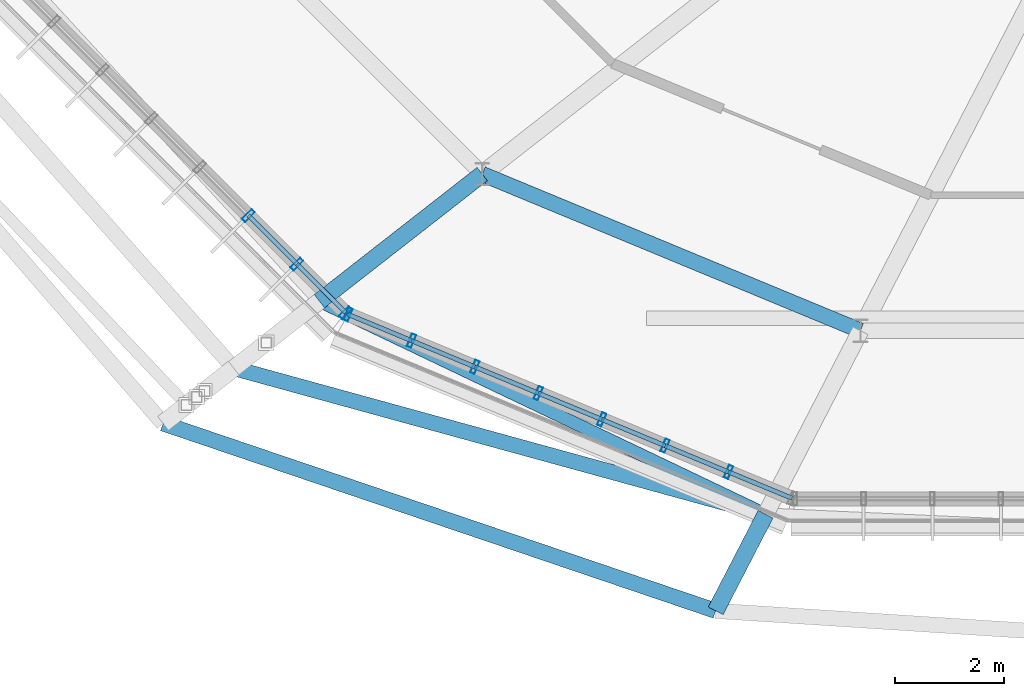
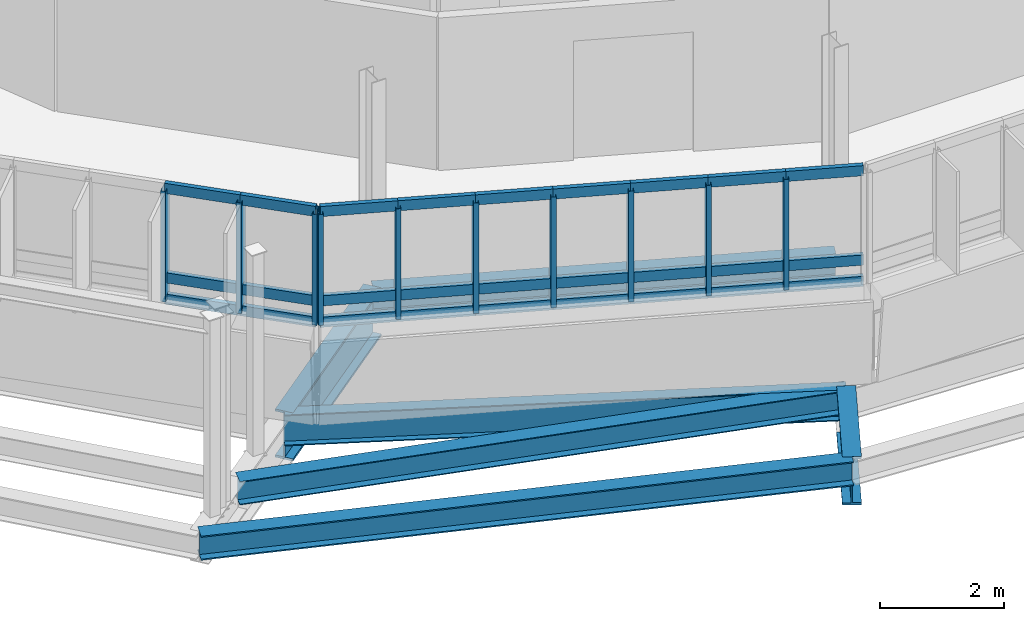
# One storey, part 9 of 61: 37 members, 6 beams, 2 elements without a shape of their own.
"""IFC4 building model written with IfcOpenShell, lengths in metres."""

import ifcopenshell
import ifcopenshell.guid

model = None  # the IFC model being written
_history = None  # IfcOwnerHistory: only IFC2X3 demands one
_inside = {}  # id of a spatial element -> (the spatial element, [elements in it])
_under = {}  # id of a project, library or spatial element -> (it, [spatial elements below it])
_declared = {}  # id of a project -> (the project, [libraries it declares])
_typed = {}  # id of a type object -> (the type object, [elements of that type])
_made_of = {}  # id of a material, layer set ... -> (it, [elements and type objects made of it])


def new_model(schema):
    """Start an empty IFC model of exactly this schema.

    Asked for "IFC4X3", IfcOpenShell would pick the latest addendum, in which some entities
    have other attributes; the version numbers below select the first issue.
    IFC2X3 requires an IfcOwnerHistory on every rooted entity: one is made here for all.
    """
    global model, _history
    if schema == "IFC4X3":
        model = ifcopenshell.file(schema_version=(4, 3, 0, 0))
    else:
        model = ifcopenshell.file(schema=schema)
    _inside.clear()
    _under.clear()
    _declared.clear()
    _typed.clear()
    _made_of.clear()
    _history = None
    if model.schema == "IFC2X3":
        org = make("IfcOrganization", Name="unknown")
        user = make(
            "IfcPersonAndOrganization",
            ThePerson=make("IfcPerson", FamilyName="unknown"),
            TheOrganization=org,
        )
        app = make(
            "IfcApplication",
            ApplicationDeveloper=org,
            Version="unknown",
            ApplicationFullName="unknown",
            ApplicationIdentifier="unknown",
        )
        _history = make(
            "IfcOwnerHistory",
            OwningUser=user,
            OwningApplication=app,
            ChangeAction="ADDED",
            CreationDate=0,
        )
    return model


def make(cls, **values):
    """One entity of the class cls with the attributes given. An attribute that is None is left unset."""
    return model.create_entity(
        cls, **{name: value for name, value in values.items() if value is not None}
    )


def rooted(cls, **values):
    """An entity with a GlobalId (a new one), such as an element, a storey or a relation."""
    return make(cls, GlobalId=ifcopenshell.guid.new(), OwnerHistory=_history, **values)


def si_unit(unit_type, name, prefix=None):
    """IfcSIUnit, for example si_unit("LENGTHUNIT", "METRE", prefix="MILLI")."""
    return make("IfcSIUnit", UnitType=unit_type, Prefix=prefix, Name=name)


def derived_unit(unit_type, elements):
    """IfcDerivedUnit: a product of units, each with its exponent."""
    return make(
        "IfcDerivedUnit",
        Elements=[
            make("IfcDerivedUnitElement", Unit=unit, Exponent=power)
            for unit, power in elements
        ],
        UnitType=unit_type,
    )


def assignment(units):
    """IfcUnitAssignment: the units of a project."""
    return None if units is None else make("IfcUnitAssignment", Units=units)


def point(xyz):
    """IfcCartesianPoint."""
    return None if xyz is None else make("IfcCartesianPoint", Coordinates=xyz)


def direction(xyz):
    """IfcDirection."""
    return None if xyz is None else make("IfcDirection", DirectionRatios=xyz)


def frame(location, z_axis=None, x_axis=None):
    """IfcAxis2Placement3D, a coordinate frame: its origin and axes. An axis left out is left unset."""
    return make(
        "IfcAxis2Placement3D",
        Location=point(location),
        Axis=direction(z_axis),
        RefDirection=direction(x_axis),
    )


def frame_2d(location, x_axis=None):
    """IfcAxis2Placement2D, a coordinate frame in the plane: its origin and x axis."""
    return make(
        "IfcAxis2Placement2D", Location=point(location), RefDirection=direction(x_axis)
    )


def origin():
    """The frame at (0, 0, 0) with its axes left unset."""
    return frame((0.0, 0.0, 0.0))


def origin_2d():
    """The frame at (0, 0) in the plane with its x axis left unset."""
    return frame_2d((0.0, 0.0))


def place(relative_to, where):
    """IfcLocalPlacement: puts the frame where relative to a parent placement (None: the world)."""
    return make(
        "IfcLocalPlacement", PlacementRelTo=relative_to, RelativePlacement=where
    )


def context(
    kind, dimensions, precision=None, world=None, true_north=None, identifier=None
):
    """IfcGeometricRepresentationContext, for example the 3D "Model" context."""
    return make(
        "IfcGeometricRepresentationContext",
        ContextIdentifier=identifier,
        ContextType=kind,
        CoordinateSpaceDimension=dimensions,
        Precision=precision,
        WorldCoordinateSystem=world,
        TrueNorth=true_north,
    )


def subcontext(parent, identifier, kind, view, scale=None):
    """IfcGeometricRepresentationSubContext, for example "Body" below "Model"."""
    return make(
        "IfcGeometricRepresentationSubContext",
        ContextIdentifier=identifier,
        ContextType=kind,
        ParentContext=parent,
        TargetScale=scale,
        TargetView=view,
    )


def project(units=None, contexts=None):
    """IfcProject with its units and contexts."""
    return rooted(
        "IfcProject",
        Name="project",
        RepresentationContexts=contexts,
        UnitsInContext=assignment(units),
    )


def spatial(cls, under=None, at=None, **own):
    """A site, building, storey or space (cls), placed at a placement, below another one or the project."""
    s = rooted(cls, ObjectPlacement=at, **own)
    if under is not None:
        _under.setdefault(under.id(), (under, []))[1].append(s)
    return s


def profile(cls, at=None, kind="AREA", **sizes):
    """A parametric profile (cls). Its sizes go by their IFC names, for example OverallWidth=200.0."""
    return make(cls, ProfileType=kind, Position=at, **sizes)


def hollow_rectangle(**sizes):
    """IfcRectangleHollowProfileDef."""
    return profile("IfcRectangleHollowProfileDef", **sizes)


def i_section(**sizes):
    """IfcIShapeProfileDef."""
    return profile("IfcIShapeProfileDef", **sizes)


def extrude(swept, where, along, depth):
    """IfcExtrudedAreaSolid: the profile swept, set in the frame where, extruded along a direction by depth."""
    return make(
        "IfcExtrudedAreaSolid",
        SweptArea=swept,
        Position=where,
        ExtrudedDirection=direction(along),
        Depth=depth,
    )


def shape(context_of_items, identifier, shape_type, items):
    """IfcShapeRepresentation: the items that make up one representation, for example the "Body"."""
    return make(
        "IfcShapeRepresentation",
        ContextOfItems=context_of_items,
        RepresentationIdentifier=identifier,
        RepresentationType=shape_type,
        Items=items,
    )


def material(Name=None, Category=None):
    """IfcMaterial."""
    return make("IfcMaterial", Name=Name, Category=Category)


def layer(
    of_material, thickness, ventilated=None, Name=None, Category=None, Priority=None
):
    """IfcMaterialLayer: one layer of a wall or slab, of a material (None: an air gap)."""
    return make(
        "IfcMaterialLayer",
        Material=of_material,
        LayerThickness=thickness,
        IsVentilated=ventilated,
        Name=Name,
        Category=Category,
        Priority=Priority,
    )


def layer_set(layers, Name=None):
    """IfcMaterialLayerSet."""
    return make("IfcMaterialLayerSet", MaterialLayers=layers, LayerSetName=Name)


def material_profile(
    of_material, cross_section, Name=None, Category=None, Priority=None
):
    """IfcMaterialProfile: a cross section and its material."""
    return make(
        "IfcMaterialProfile",
        Name=Name,
        Material=of_material,
        Profile=cross_section,
        Priority=Priority,
        Category=Category,
    )


def profile_set(profiles, Name=None, composite=None):
    """IfcMaterialProfileSet."""
    return make(
        "IfcMaterialProfileSet",
        Name=Name,
        MaterialProfiles=profiles,
        CompositeProfile=composite,
    )


def made_of(thing, what):
    """Note that an element or type object is made of a material, layer set ...; save() writes the relation."""
    if what is not None:
        _made_of.setdefault(what.id(), (what, []))[1].append(thing)
    return thing


def type_object(cls, material=None, **own):
    """A type object (cls), such as IfcWallType, which elements share."""
    return made_of(rooted(cls, **own), material)


def element(
    cls,
    number,
    at=None,
    inside=None,
    cuts=None,
    type_object=None,
    material=None,
    context=None,
    identifier="Body",
    shape_type=None,
    held_by="IfcProductDefinitionShape",
    body=None,
    shapes=None,
    **own,
):
    """One element of the class cls, such as IfcWall. Its Tag is "e" and its number.

    at: its placement. inside: the storey or other place that contains it. cuts: it is an
    opening in that element (IfcRelVoidsElement). A single representation is given by context,
    identifier, shape_type and body (its items); several are given by shapes. held_by: the class
    of the entity that holds the representations. save() writes the other relations.
    """
    e = rooted(cls, Tag="e%d" % number, ObjectPlacement=at, **own)
    if body is not None:
        shapes = [shape(context, identifier, shape_type, body)]
    if shapes is not None:
        e.Representation = make(held_by, Representations=shapes)
    if inside is not None:
        _inside.setdefault(inside.id(), (inside, []))[1].append(e)
    if cuts is not None:
        rooted(
            "IfcRelVoidsElement", RelatingBuildingElement=cuts, RelatedOpeningElement=e
        )
    if type_object is not None:
        _typed.setdefault(type_object.id(), (type_object, []))[1].append(e)
    return made_of(e, material)


def aggregate(whole, parts):
    """IfcRelAggregates: a whole, such as a stair, and the parts it consists of."""
    return rooted("IfcRelAggregates", RelatingObject=whole, RelatedObjects=parts)


def save(model, path):
    """Write the relations noted so far, then the file.

    IfcRelAggregates (storeys below a building ...), IfcRelContainedInSpatialStructure (elements
    in a storey), IfcRelDefinesByType, IfcRelAssociatesMaterial and IfcRelDeclares: one each for
    every whole, place, type object, material and project.
    """
    for whole, parts in _under.values():
        aggregate(whole, parts)
    for where, things in _inside.values():
        rooted(
            "IfcRelContainedInSpatialStructure",
            RelatedElements=things,
            RelatingStructure=where,
        )
    for kind, things in _typed.values():
        rooted("IfcRelDefinesByType", RelatedObjects=things, RelatingType=kind)
    for what, things in _made_of.values():
        rooted("IfcRelAssociatesMaterial", RelatedObjects=things, RelatingMaterial=what)
    for by, libraries in _declared.values():
        rooted("IfcRelDeclares", RelatingContext=by, RelatedDefinitions=libraries)
    model.write(path)


model = new_model("IFC4")

# Units and contexts
model_context = context("Model", 3, precision=1e-05, world=origin(), true_north=direction((0.0, 1.0)))
body_context = subcontext(model_context, "Body", "Model", "MODEL_VIEW")
ifc_project = project(units=[si_unit("LENGTHUNIT", "METRE"), si_unit("AREAUNIT", "SQUARE_METRE"), si_unit("VOLUMEUNIT", "CUBIC_METRE"), si_unit("PLANEANGLEUNIT", "RADIAN"), si_unit("MASSUNIT", "GRAM", prefix="KILO"), derived_unit("THERMALTRANSMITTANCEUNIT", [(si_unit("MASSUNIT", "GRAM", prefix="KILO"), 1), (si_unit("TIMEUNIT", "SECOND"), -3), (si_unit("THERMODYNAMICTEMPERATUREUNIT", "KELVIN"), -1)])], contexts=[model_context])

# Site, building, storey
site_placement = place(None, origin())
site = spatial("IfcSite", under=ifc_project, at=site_placement, CompositionType="ELEMENT")
building_placement = place(site_placement, origin())
building = spatial("IfcBuilding", under=site, at=building_placement, Name="Makaiwela Harbour Ferry Terminal", CompositionType="ELEMENT")
storey_placement = place(building_placement, frame((0.0, 0.0, 13.800048828125)))
storey = spatial("IfcBuildingStorey", under=building, at=storey_placement, Name="L03", CompositionType="ELEMENT", Elevation=13.800048828125)

# Curtain wall, members
ifc_material_1 = material(Name="Marine anodised aluminium 6063-T6", Category="aluminium")
ifc_layer = layer(ifc_material_1, 0.199951171875)
ifc_layer_set = layer_set([ifc_layer], Name="Marine anodised aluminium 6063-T6")
curtain_wall_type = type_object("IfcCurtainWallType", Name="ENV-CW-05", PredefinedType="USERDEFINED", material=ifc_layer_set)
curtain_wall_1_placement = place(storey_placement, origin())
curtain_wall_1 = element("IfcCurtainWall", 1, at=curtain_wall_1_placement, inside=storey, type_object=curtain_wall_type, Name="Unitised Curtain Wall CWA-037", ObjectType="UNITIZED CURTAIN WALL", PredefinedType="USERDEFINED")
ifc_material_profile_1 = material_profile(ifc_material_1, hollow_rectangle(XDim=0.0849609375, YDim=0.25, WallThickness=0.0048828125, at=origin_2d()), Name="CWM-250X85")
ifc_profile_set_1 = profile_set([ifc_material_profile_1], Name="Marine anodised aluminium 6063-T6")
member_type_1 = type_object("IfcMemberType", Name="CW-MUL-250", PredefinedType="MULLION", material=ifc_profile_set_1)
member_1_placement = place(storey_placement, frame((22.07666015625, 51.288818359375, 1.47998046875), z_axis=(0.0, 0.0, 1.0), x_axis=(-0.707106781187, 0.707106781187, 0.0)))
member_1 = element("IfcMember", 2, at=member_1_placement, type_object=member_type_1, Name="Curtain Wall Mullion CWA-037-6", PredefinedType="MULLION", context=body_context, shape_type="SweptSolid", body=[
    extrude(hollow_rectangle(XDim=0.0849609375, YDim=0.25, WallThickness=0.0048828125, at=origin_2d()), origin(), (0.0, 0.0, 1.0), 2.179931640625),
])
member_2_placement = place(storey_placement, frame((22.96923828125, 50.396240234375, 1.47998046875), z_axis=(0.0, 0.0, 1.0), x_axis=(-0.707106781187, 0.707106781187, 0.0)))
member_2 = element("IfcMember", 3, at=member_2_placement, type_object=member_type_1, Name="Curtain Wall Mullion CWA-037-7", PredefinedType="MULLION", context=body_context, shape_type="SweptSolid", body=[
    extrude(hollow_rectangle(XDim=0.0849609375, YDim=0.25, WallThickness=0.0048828125, at=origin_2d()), origin(), (0.0, 0.0, 1.0), 2.179931640625),
])
member_3_placement = place(storey_placement, frame((23.86181640625, 49.503662109375, 1.47998046875), z_axis=(0.0, 0.0, 1.0), x_axis=(-0.707106781187, 0.707106781187, 0.0)))
member_3 = element("IfcMember", 4, at=member_3_placement, type_object=member_type_1, Name="Curtain Wall Mullion CWA-037-8", PredefinedType="MULLION", context=body_context, shape_type="SweptSolid", body=[
    extrude(hollow_rectangle(XDim=0.0849609375, YDim=0.25, WallThickness=0.0048828125, at=origin_2d()), origin(), (0.0, 0.0, 1.0), 2.179931640625),
])

curtain_wall_2_placement = place(storey_placement, origin())
curtain_wall_2 = element("IfcCurtainWall", 5, at=curtain_wall_2_placement, inside=storey, type_object=curtain_wall_type, Name="Unitised Curtain Wall CWA-038", ObjectType="UNITIZED CURTAIN WALL", PredefinedType="USERDEFINED")
member_4_placement = place(storey_placement, frame((23.91064453125, 49.470947265625, 1.47998046875), z_axis=(0.0, 0.0, 1.0), x_axis=(-0.923879532511, 0.382683432365, 0.0)))
member_4 = element("IfcMember", 6, at=member_4_placement, type_object=member_type_1, Name="Curtain Wall Mullion CWA-038-1", PredefinedType="MULLION", context=body_context, shape_type="SweptSolid", body=[
    extrude(hollow_rectangle(XDim=0.0849609375, YDim=0.25, WallThickness=0.0048828125, at=origin_2d()), origin(), (0.0, 0.0, 1.0), 2.179931640625),
])
member_5_placement = place(storey_placement, frame((25.076904296875, 48.98779296875, 1.47998046875), z_axis=(0.0, 0.0, 1.0), x_axis=(-0.923879532511, 0.382683432365, 0.0)))
member_5 = element("IfcMember", 7, at=member_5_placement, type_object=member_type_1, Name="Curtain Wall Mullion CWA-038-2", PredefinedType="MULLION", context=body_context, shape_type="SweptSolid", body=[
    extrude(hollow_rectangle(XDim=0.0849609375, YDim=0.25, WallThickness=0.0048828125, at=origin_2d()), origin(), (0.0, 0.0, 1.0), 2.179931640625),
])
member_6_placement = place(storey_placement, frame((26.2431640625, 48.5048828125, 1.47998046875), z_axis=(0.0, 0.0, 1.0), x_axis=(-0.923879532511, 0.382683432365, 0.0)))
member_6 = element("IfcMember", 8, at=member_6_placement, type_object=member_type_1, Name="Curtain Wall Mullion CWA-038-3", PredefinedType="MULLION", context=body_context, shape_type="SweptSolid", body=[
    extrude(hollow_rectangle(XDim=0.0849609375, YDim=0.25, WallThickness=0.0048828125, at=origin_2d()), origin(), (0.0, 0.0, 1.0), 2.179931640625),
])
member_7_placement = place(storey_placement, frame((27.4091796875, 48.021728515625, 1.47998046875), z_axis=(0.0, 0.0, 1.0), x_axis=(-0.923879532511, 0.382683432365, 0.0)))
member_7 = element("IfcMember", 9, at=member_7_placement, type_object=member_type_1, Name="Curtain Wall Mullion CWA-038-4", PredefinedType="MULLION", context=body_context, shape_type="SweptSolid", body=[
    extrude(hollow_rectangle(XDim=0.0849609375, YDim=0.25, WallThickness=0.0048828125, at=origin_2d()), origin(), (0.0, 0.0, 1.0), 2.179931640625),
])
member_8_placement = place(storey_placement, frame((28.57568359375, 47.538818359375, 1.47998046875), z_axis=(0.0, 0.0, 1.0), x_axis=(-0.923879532511, 0.382683432365, 0.0)))
member_8 = element("IfcMember", 10, at=member_8_placement, type_object=member_type_1, Name="Curtain Wall Mullion CWA-038-5", PredefinedType="MULLION", context=body_context, shape_type="SweptSolid", body=[
    extrude(hollow_rectangle(XDim=0.0849609375, YDim=0.25, WallThickness=0.0048828125, at=origin_2d()), origin(), (0.0, 0.0, 1.0), 2.179931640625),
])
member_9_placement = place(storey_placement, frame((29.74169921875, 47.0556640625, 1.47998046875), z_axis=(0.0, 0.0, 1.0), x_axis=(-0.923879532511, 0.382683432365, 0.0)))
member_9 = element("IfcMember", 11, at=member_9_placement, type_object=member_type_1, Name="Curtain Wall Mullion CWA-038-6", PredefinedType="MULLION", context=body_context, shape_type="SweptSolid", body=[
    extrude(hollow_rectangle(XDim=0.0849609375, YDim=0.25, WallThickness=0.0048828125, at=origin_2d()), origin(), (0.0, 0.0, 1.0), 2.179931640625),
])
member_10_placement = place(storey_placement, frame((30.907958984375, 46.57275390625, 1.47998046875), z_axis=(0.0, 0.0, 1.0), x_axis=(-0.923879532511, 0.382683432365, 0.0)))
member_10 = element("IfcMember", 12, at=member_10_placement, type_object=member_type_1, Name="Curtain Wall Mullion CWA-038-7", PredefinedType="MULLION", context=body_context, shape_type="SweptSolid", body=[
    extrude(hollow_rectangle(XDim=0.0849609375, YDim=0.25, WallThickness=0.0048828125, at=origin_2d()), origin(), (0.0, 0.0, 1.0), 2.179931640625),
])

# Member
ifc_material_profile_2 = material_profile(ifc_material_1, hollow_rectangle(XDim=0.0849609375, YDim=0.199951171875, WallThickness=0.0048828125, at=origin_2d()), Name="CWT-200X85")
ifc_profile_set_2 = profile_set([ifc_material_profile_2], Name="Marine anodised aluminium 6063-T6")
member_type_2 = type_object("IfcMemberType", Name="CW-TRN-200", PredefinedType="USERDEFINED", material=ifc_profile_set_2)
member_11_placement = place(storey_placement, frame((22.07666015625, 51.288818359375, 1.47998046875), z_axis=(0.707106781187, -0.707106781187, 0.0), x_axis=(0.707106781187, 0.707106781187, 0.0)))
member_11 = element("IfcMember", 13, at=member_11_placement, type_object=member_type_2, Name="Curtain Wall Transom CWA-037-6-1", ObjectType="TRANSOM", PredefinedType="USERDEFINED", context=body_context, shape_type="SweptSolid", body=[
    extrude(hollow_rectangle(XDim=0.0849609375, YDim=0.199951171875, WallThickness=0.0048828125, at=origin_2d()), origin(), (0.0, 0.0, 1.0), 1.26220703125),
])

member_12_placement = place(storey_placement, frame((22.07666015625, 51.288818359375, 1.89990234375), z_axis=(0.707106781187, -0.707106781187, 0.0), x_axis=(0.707106781187, 0.707106781187, 0.0)))
member_12 = element("IfcMember", 14, at=member_12_placement, type_object=member_type_2, Name="Curtain Wall Transom CWA-037-6-2", ObjectType="TRANSOM", PredefinedType="USERDEFINED", context=body_context, shape_type="SweptSolid", body=[
    extrude(hollow_rectangle(XDim=0.0849609375, YDim=0.199951171875, WallThickness=0.0048828125, at=origin_2d()), origin(), (0.0, 0.0, 1.0), 1.26220703125),
])

member_13_placement = place(storey_placement, frame((22.07666015625, 51.288818359375, 3.659912109375), z_axis=(0.707106781187, -0.707106781187, 0.0), x_axis=(0.707106781187, 0.707106781187, 0.0)))
member_13 = element("IfcMember", 15, at=member_13_placement, type_object=member_type_2, Name="Curtain Wall Transom CWA-037-6-3", ObjectType="TRANSOM", PredefinedType="USERDEFINED", context=body_context, shape_type="SweptSolid", body=[
    extrude(hollow_rectangle(XDim=0.0849609375, YDim=0.199951171875, WallThickness=0.0048828125, at=origin_2d()), origin(), (0.0, 0.0, 1.0), 1.26220703125),
])

member_14_placement = place(storey_placement, frame((22.96923828125, 50.396240234375, 1.47998046875), z_axis=(0.707106781187, -0.707106781187, 0.0), x_axis=(0.707106781187, 0.707106781187, 0.0)))
member_14 = element("IfcMember", 16, at=member_14_placement, type_object=member_type_2, Name="Curtain Wall Transom CWA-037-7-1", ObjectType="TRANSOM", PredefinedType="USERDEFINED", context=body_context, shape_type="SweptSolid", body=[
    extrude(hollow_rectangle(XDim=0.0849609375, YDim=0.199951171875, WallThickness=0.0048828125, at=origin_2d()), origin(), (0.0, 0.0, 1.0), 1.26220703125),
])

member_15_placement = place(storey_placement, frame((22.96923828125, 50.396240234375, 1.89990234375), z_axis=(0.707106781187, -0.707106781187, 0.0), x_axis=(0.707106781187, 0.707106781187, 0.0)))
member_15 = element("IfcMember", 17, at=member_15_placement, type_object=member_type_2, Name="Curtain Wall Transom CWA-037-7-2", ObjectType="TRANSOM", PredefinedType="USERDEFINED", context=body_context, shape_type="SweptSolid", body=[
    extrude(hollow_rectangle(XDim=0.0849609375, YDim=0.199951171875, WallThickness=0.0048828125, at=origin_2d()), origin(), (0.0, 0.0, 1.0), 1.26220703125),
])

member_16_placement = place(storey_placement, frame((22.96923828125, 50.396240234375, 3.659912109375), z_axis=(0.707106781187, -0.707106781187, 0.0), x_axis=(0.707106781187, 0.707106781187, 0.0)))
member_16 = element("IfcMember", 18, at=member_16_placement, type_object=member_type_2, Name="Curtain Wall Transom CWA-037-7-3", ObjectType="TRANSOM", PredefinedType="USERDEFINED", context=body_context, shape_type="SweptSolid", body=[
    extrude(hollow_rectangle(XDim=0.0849609375, YDim=0.199951171875, WallThickness=0.0048828125, at=origin_2d()), origin(), (0.0, 0.0, 1.0), 1.26220703125),
])

aggregate(curtain_wall_1, [member_1, member_2, member_3, member_11, member_12, member_13, member_14, member_15, member_16])

member_17_placement = place(storey_placement, frame((23.91064453125, 49.470947265625, 1.47998046875), z_axis=(0.923858894352, -0.38273325349, 0.0), x_axis=(0.38273325349, 0.923858894352, 0.0)))
member_17 = element("IfcMember", 19, at=member_17_placement, type_object=member_type_2, Name="Curtain Wall Transom CWA-038-1-1", ObjectType="TRANSOM", PredefinedType="USERDEFINED", context=body_context, shape_type="SweptSolid", body=[
    extrude(hollow_rectangle(XDim=0.0849609375, YDim=0.199951171875, WallThickness=0.0048828125, at=origin_2d()), origin(), (0.0, 0.0, 1.0), 1.262451171875),
])

member_18_placement = place(storey_placement, frame((23.91064453125, 49.470947265625, 1.89990234375), z_axis=(0.923858894352, -0.38273325349, 0.0), x_axis=(0.38273325349, 0.923858894352, 0.0)))
member_18 = element("IfcMember", 20, at=member_18_placement, type_object=member_type_2, Name="Curtain Wall Transom CWA-038-1-2", ObjectType="TRANSOM", PredefinedType="USERDEFINED", context=body_context, shape_type="SweptSolid", body=[
    extrude(hollow_rectangle(XDim=0.0849609375, YDim=0.199951171875, WallThickness=0.0048828125, at=origin_2d()), origin(), (0.0, 0.0, 1.0), 1.262451171875),
])

member_19_placement = place(storey_placement, frame((23.91064453125, 49.470947265625, 3.659912109375), z_axis=(0.923858894352, -0.38273325349, 0.0), x_axis=(0.38273325349, 0.923858894352, 0.0)))
member_19 = element("IfcMember", 21, at=member_19_placement, type_object=member_type_2, Name="Curtain Wall Transom CWA-038-1-3", ObjectType="TRANSOM", PredefinedType="USERDEFINED", context=body_context, shape_type="SweptSolid", body=[
    extrude(hollow_rectangle(XDim=0.0849609375, YDim=0.199951171875, WallThickness=0.0048828125, at=origin_2d()), origin(), (0.0, 0.0, 1.0), 1.262451171875),
])

member_20_placement = place(storey_placement, frame((25.076904296875, 48.98779296875, 1.47998046875), z_axis=(0.923927268309, -0.382568167619, 0.0), x_axis=(0.382568167619, 0.923927268309, 0.0)))
member_20 = element("IfcMember", 22, at=member_20_placement, type_object=member_type_2, Name="Curtain Wall Transom CWA-038-2-1", ObjectType="TRANSOM", PredefinedType="USERDEFINED", context=body_context, shape_type="SweptSolid", body=[
    extrude(hollow_rectangle(XDim=0.0849609375, YDim=0.199951171875, WallThickness=0.0048828125, at=origin_2d()), origin(), (0.0, 0.0, 1.0), 1.26220703125),
])

member_21_placement = place(storey_placement, frame((25.076904296875, 48.98779296875, 1.89990234375), z_axis=(0.923927268309, -0.382568167619, 0.0), x_axis=(0.382568167619, 0.923927268309, 0.0)))
member_21 = element("IfcMember", 23, at=member_21_placement, type_object=member_type_2, Name="Curtain Wall Transom CWA-038-2-2", ObjectType="TRANSOM", PredefinedType="USERDEFINED", context=body_context, shape_type="SweptSolid", body=[
    extrude(hollow_rectangle(XDim=0.0849609375, YDim=0.199951171875, WallThickness=0.0048828125, at=origin_2d()), origin(), (0.0, 0.0, 1.0), 1.26220703125),
])

member_22_placement = place(storey_placement, frame((25.076904296875, 48.98779296875, 3.659912109375), z_axis=(0.923927268309, -0.382568167619, 0.0), x_axis=(0.382568167619, 0.923927268309, 0.0)))
member_22 = element("IfcMember", 24, at=member_22_placement, type_object=member_type_2, Name="Curtain Wall Transom CWA-038-2-3", ObjectType="TRANSOM", PredefinedType="USERDEFINED", context=body_context, shape_type="SweptSolid", body=[
    extrude(hollow_rectangle(XDim=0.0849609375, YDim=0.199951171875, WallThickness=0.0048828125, at=origin_2d()), origin(), (0.0, 0.0, 1.0), 1.26220703125),
])

member_23_placement = place(storey_placement, frame((26.2431640625, 48.5048828125, 1.47998046875), z_axis=(0.923830557004, -0.382801648306, 0.0), x_axis=(0.382801648306, 0.923830557004, 0.0)))
member_23 = element("IfcMember", 25, at=member_23_placement, type_object=member_type_2, Name="Curtain Wall Transom CWA-038-3-1", ObjectType="TRANSOM", PredefinedType="USERDEFINED", context=body_context, shape_type="SweptSolid", body=[
    extrude(hollow_rectangle(XDim=0.0849609375, YDim=0.199951171875, WallThickness=0.0048828125, at=origin_2d()), origin(), (0.0, 0.0, 1.0), 1.26220703125),
])

member_24_placement = place(storey_placement, frame((26.2431640625, 48.5048828125, 1.89990234375), z_axis=(0.923830557004, -0.382801648306, 0.0), x_axis=(0.382801648306, 0.923830557004, 0.0)))
member_24 = element("IfcMember", 26, at=member_24_placement, type_object=member_type_2, Name="Curtain Wall Transom CWA-038-3-2", ObjectType="TRANSOM", PredefinedType="USERDEFINED", context=body_context, shape_type="SweptSolid", body=[
    extrude(hollow_rectangle(XDim=0.0849609375, YDim=0.199951171875, WallThickness=0.0048828125, at=origin_2d()), origin(), (0.0, 0.0, 1.0), 1.26220703125),
])

member_25_placement = place(storey_placement, frame((26.2431640625, 48.5048828125, 3.659912109375), z_axis=(0.923830557004, -0.382801648306, 0.0), x_axis=(0.382801648306, 0.923830557004, 0.0)))
member_25 = element("IfcMember", 27, at=member_25_placement, type_object=member_type_2, Name="Curtain Wall Transom CWA-038-3-3", ObjectType="TRANSOM", PredefinedType="USERDEFINED", context=body_context, shape_type="SweptSolid", body=[
    extrude(hollow_rectangle(XDim=0.0849609375, YDim=0.199951171875, WallThickness=0.0048828125, at=origin_2d()), origin(), (0.0, 0.0, 1.0), 1.26220703125),
])

member_26_placement = place(storey_placement, frame((27.4091796875, 48.021728515625, 1.47998046875), z_axis=(0.923955568137, -0.38249981452, 0.0), x_axis=(0.38249981452, 0.923955568137, 0.0)))
member_26 = element("IfcMember", 28, at=member_26_placement, type_object=member_type_2, Name="Curtain Wall Transom CWA-038-4-1", ObjectType="TRANSOM", PredefinedType="USERDEFINED", context=body_context, shape_type="SweptSolid", body=[
    extrude(hollow_rectangle(XDim=0.0849609375, YDim=0.199951171875, WallThickness=0.0048828125, at=origin_2d()), origin(), (0.0, 0.0, 1.0), 1.262451171875),
])

member_27_placement = place(storey_placement, frame((27.4091796875, 48.021728515625, 1.89990234375), z_axis=(0.923955568137, -0.38249981452, 0.0), x_axis=(0.38249981452, 0.923955568137, 0.0)))
member_27 = element("IfcMember", 29, at=member_27_placement, type_object=member_type_2, Name="Curtain Wall Transom CWA-038-4-2", ObjectType="TRANSOM", PredefinedType="USERDEFINED", context=body_context, shape_type="SweptSolid", body=[
    extrude(hollow_rectangle(XDim=0.0849609375, YDim=0.199951171875, WallThickness=0.0048828125, at=origin_2d()), origin(), (0.0, 0.0, 1.0), 1.262451171875),
])

member_28_placement = place(storey_placement, frame((27.4091796875, 48.021728515625, 3.659912109375), z_axis=(0.923955568137, -0.38249981452, 0.0), x_axis=(0.38249981452, 0.923955568137, 0.0)))
member_28 = element("IfcMember", 30, at=member_28_placement, type_object=member_type_2, Name="Curtain Wall Transom CWA-038-4-3", ObjectType="TRANSOM", PredefinedType="USERDEFINED", context=body_context, shape_type="SweptSolid", body=[
    extrude(hollow_rectangle(XDim=0.0849609375, YDim=0.199951171875, WallThickness=0.0048828125, at=origin_2d()), origin(), (0.0, 0.0, 1.0), 1.262451171875),
])

member_29_placement = place(storey_placement, frame((28.57568359375, 47.538818359375, 1.47998046875), z_axis=(0.923830557004, -0.382801648306, 0.0), x_axis=(0.382801648306, 0.923830557004, 0.0)))
member_29 = element("IfcMember", 31, at=member_29_placement, type_object=member_type_2, Name="Curtain Wall Transom CWA-038-5-1", ObjectType="TRANSOM", PredefinedType="USERDEFINED", context=body_context, shape_type="SweptSolid", body=[
    extrude(hollow_rectangle(XDim=0.0849609375, YDim=0.199951171875, WallThickness=0.0048828125, at=origin_2d()), origin(), (0.0, 0.0, 1.0), 1.26220703125),
])

member_30_placement = place(storey_placement, frame((28.57568359375, 47.538818359375, 1.89990234375), z_axis=(0.923830557004, -0.382801648306, 0.0), x_axis=(0.382801648306, 0.923830557004, 0.0)))
member_30 = element("IfcMember", 32, at=member_30_placement, type_object=member_type_2, Name="Curtain Wall Transom CWA-038-5-2", ObjectType="TRANSOM", PredefinedType="USERDEFINED", context=body_context, shape_type="SweptSolid", body=[
    extrude(hollow_rectangle(XDim=0.0849609375, YDim=0.199951171875, WallThickness=0.0048828125, at=origin_2d()), origin(), (0.0, 0.0, 1.0), 1.26220703125),
])

member_31_placement = place(storey_placement, frame((28.57568359375, 47.538818359375, 3.659912109375), z_axis=(0.923830557004, -0.382801648306, 0.0), x_axis=(0.382801648306, 0.923830557004, 0.0)))
member_31 = element("IfcMember", 33, at=member_31_placement, type_object=member_type_2, Name="Curtain Wall Transom CWA-038-5-3", ObjectType="TRANSOM", PredefinedType="USERDEFINED", context=body_context, shape_type="SweptSolid", body=[
    extrude(hollow_rectangle(XDim=0.0849609375, YDim=0.199951171875, WallThickness=0.0048828125, at=origin_2d()), origin(), (0.0, 0.0, 1.0), 1.26220703125),
])

member_32_placement = place(storey_placement, frame((29.74169921875, 47.0556640625, 1.47998046875), z_axis=(0.923927268309, -0.382568167619, 0.0), x_axis=(0.382568167619, 0.923927268309, 0.0)))
member_32 = element("IfcMember", 34, at=member_32_placement, type_object=member_type_2, Name="Curtain Wall Transom CWA-038-6-1", ObjectType="TRANSOM", PredefinedType="USERDEFINED", context=body_context, shape_type="SweptSolid", body=[
    extrude(hollow_rectangle(XDim=0.0849609375, YDim=0.199951171875, WallThickness=0.0048828125, at=origin_2d()), origin(), (0.0, 0.0, 1.0), 1.26220703125),
])

member_33_placement = place(storey_placement, frame((29.74169921875, 47.0556640625, 1.89990234375), z_axis=(0.923927268309, -0.382568167619, 0.0), x_axis=(0.382568167619, 0.923927268309, 0.0)))
member_33 = element("IfcMember", 35, at=member_33_placement, type_object=member_type_2, Name="Curtain Wall Transom CWA-038-6-2", ObjectType="TRANSOM", PredefinedType="USERDEFINED", context=body_context, shape_type="SweptSolid", body=[
    extrude(hollow_rectangle(XDim=0.0849609375, YDim=0.199951171875, WallThickness=0.0048828125, at=origin_2d()), origin(), (0.0, 0.0, 1.0), 1.26220703125),
])

member_34_placement = place(storey_placement, frame((29.74169921875, 47.0556640625, 3.659912109375), z_axis=(0.923927268309, -0.382568167619, 0.0), x_axis=(0.382568167619, 0.923927268309, 0.0)))
member_34 = element("IfcMember", 36, at=member_34_placement, type_object=member_type_2, Name="Curtain Wall Transom CWA-038-6-3", ObjectType="TRANSOM", PredefinedType="USERDEFINED", context=body_context, shape_type="SweptSolid", body=[
    extrude(hollow_rectangle(XDim=0.0849609375, YDim=0.199951171875, WallThickness=0.0048828125, at=origin_2d()), origin(), (0.0, 0.0, 1.0), 1.26220703125),
])

member_35_placement = place(storey_placement, frame((30.907958984375, 46.57275390625, 1.47998046875), z_axis=(0.923858894352, -0.38273325349, 0.0), x_axis=(0.38273325349, 0.923858894352, 0.0)))
member_35 = element("IfcMember", 37, at=member_35_placement, type_object=member_type_2, Name="Curtain Wall Transom CWA-038-7-1", ObjectType="TRANSOM", PredefinedType="USERDEFINED", context=body_context, shape_type="SweptSolid", body=[
    extrude(hollow_rectangle(XDim=0.0849609375, YDim=0.199951171875, WallThickness=0.0048828125, at=origin_2d()), origin(), (0.0, 0.0, 1.0), 1.262451171875),
])

member_36_placement = place(storey_placement, frame((30.907958984375, 46.57275390625, 1.89990234375), z_axis=(0.923858894352, -0.38273325349, 0.0), x_axis=(0.38273325349, 0.923858894352, 0.0)))
member_36 = element("IfcMember", 38, at=member_36_placement, type_object=member_type_2, Name="Curtain Wall Transom CWA-038-7-2", ObjectType="TRANSOM", PredefinedType="USERDEFINED", context=body_context, shape_type="SweptSolid", body=[
    extrude(hollow_rectangle(XDim=0.0849609375, YDim=0.199951171875, WallThickness=0.0048828125, at=origin_2d()), origin(), (0.0, 0.0, 1.0), 1.262451171875),
])

member_37_placement = place(storey_placement, frame((30.907958984375, 46.57275390625, 3.659912109375), z_axis=(0.923858894352, -0.38273325349, 0.0), x_axis=(0.38273325349, 0.923858894352, 0.0)))
member_37 = element("IfcMember", 39, at=member_37_placement, type_object=member_type_2, Name="Curtain Wall Transom CWA-038-7-3", ObjectType="TRANSOM", PredefinedType="USERDEFINED", context=body_context, shape_type="SweptSolid", body=[
    extrude(hollow_rectangle(XDim=0.0849609375, YDim=0.199951171875, WallThickness=0.0048828125, at=origin_2d()), origin(), (0.0, 0.0, 1.0), 1.262451171875),
])

aggregate(curtain_wall_2, [member_4, member_5, member_6, member_7, member_8, member_9, member_10, member_17, member_18, member_19, member_20, member_21, member_22, member_23, member_24, member_25, member_26, member_27, member_28, member_29, member_30, member_31, member_32, member_33, member_34, member_35, member_36, member_37])

# Beams
ifc_material_2 = material(Name="Steel ASTM A992 Grade 50", Category="steel")
ifc_material_profile_3 = material_profile(ifc_material_2, i_section(OverallWidth=0.280029296875, OverallDepth=0.462890625, WebThickness=0.0107421875, FlangeThickness=0.017333984375, at=origin_2d()), Name="W18X76")
ifc_profile_set_3 = profile_set([ifc_material_profile_3], Name="Steel ASTM A992 Grade 50")
beam_type_1 = type_object("IfcBeamType", Name="STR-BM-W18X76", PredefinedType="BEAM", material=ifc_profile_set_3)
beam_1_placement = place(storey_placement, frame((21.806884765625, 48.48193359375, -0.486572265625), z_axis=(0.96429916079, -0.264815272407, 0.0), x_axis=(0.264815272407, 0.96429916079, 0.0)))
element("IfcBeam", 40, at=beam_1_placement, inside=storey, type_object=beam_type_1, Name="Drum stage2 tie girder 349", PredefinedType="BEAM", context=body_context, shape_type="SweptSolid", body=[
    extrude(i_section(OverallWidth=0.280029296875, OverallDepth=0.462890625, WebThickness=0.0107421875, FlangeThickness=0.017333984375, at=origin_2d()), origin(), (0.0, 0.0, 1.0), 10.144775390625),
])
ifc_material_profile_4 = material_profile(ifc_material_2, i_section(OverallWidth=0.22900390625, OverallDepth=0.612060546875, WebThickness=0.011962890625, FlangeThickness=0.01953125, at=origin_2d()), Name="W24X84")
ifc_profile_set_4 = profile_set([ifc_material_profile_4], Name="Steel ASTM A992 Grade 50")
beam_type_2 = type_object("IfcBeamType", Name="STR-GRD-W24X84", PredefinedType="USERDEFINED", material=ifc_profile_set_4)
beam_2_placement = place(storey_placement, frame((23.3828125, 49.71337890625, -0.56103515625), z_axis=(0.902434308602, -0.430827481316, 0.0), x_axis=(0.430827481316, 0.902434308602, 0.0)))
element("IfcBeam", 41, at=beam_2_placement, inside=storey, type_object=beam_type_2, Name="Drum overhang tie girder 348", ObjectType="GIRDER", PredefinedType="USERDEFINED", context=body_context, shape_type="SweptSolid", body=[
    extrude(i_section(OverallWidth=0.22900390625, OverallDepth=0.612060546875, WebThickness=0.011962890625, FlangeThickness=0.01953125, at=origin_2d()), origin(), (0.0, 0.0, 1.0), 9.093994140625),
])
ifc_material_profile_5 = material_profile(ifc_material_2, i_section(OverallWidth=0.31005859375, OverallDepth=0.949951171875, WebThickness=0.0244140625, FlangeThickness=0.0439453125, at=origin_2d()), Name="W36X256")
ifc_profile_set_5 = profile_set([ifc_material_profile_5], Name="Steel ASTM A992 Grade 50")
beam_type_3 = type_object("IfcBeamType", Name="STR-GRD-W36X256", PredefinedType="USERDEFINED", material=ifc_profile_set_5)
beam_3_placement = place(storey_placement, frame((26.37744140625, 52.052490234375, -0.72998046875), z_axis=(-0.788080866077, -0.615571724921, 0.0), x_axis=(0.615571724921, -0.788080866077, 0.0)))
element("IfcBeam", 42, at=beam_3_placement, inside=storey, type_object=beam_type_3, Name="Drum radial overhang 310", ObjectType="GIRDER", PredefinedType="USERDEFINED", context=body_context, shape_type="SweptSolid", body=[
    extrude(i_section(OverallWidth=0.31005859375, OverallDepth=0.949951171875, WebThickness=0.0244140625, FlangeThickness=0.0439453125, at=origin_2d()), origin(), (0.0, 0.0, 1.0), 3.7998046875),
])
beam_4_placement = place(storey_placement, frame((31.589599609375, 45.79541015625, -0.72998046875), z_axis=(-0.459329936396, -0.888265731372, 0.0), x_axis=(0.888265731372, -0.459329936396, 0.0)))
element("IfcBeam", 43, at=beam_4_placement, inside=storey, type_object=beam_type_3, Name="Drum overhang radial girder 315", ObjectType="GIRDER", PredefinedType="USERDEFINED", context=body_context, shape_type="SweptSolid", body=[
    extrude(i_section(OverallWidth=0.31005859375, OverallDepth=0.949951171875, WebThickness=0.0244140625, FlangeThickness=0.0439453125, at=origin_2d()), origin(), (0.0, 0.0, 1.0), 2.0),
])
ifc_material_profile_6 = material_profile(ifc_material_2, i_section(OverallWidth=0.283935546875, OverallDepth=0.47607421875, WebThickness=0.014892578125, FlangeThickness=0.02392578125, at=origin_2d()), Name="W18X106")
ifc_profile_set_6 = profile_set([ifc_material_profile_6], Name="Steel ASTM A992 Grade 50")
beam_type_4 = type_object("IfcBeamType", Name="STR-SPN-W18X106", PredefinedType="SPANDREL", material=ifc_profile_set_6)
beam_5_placement = place(storey_placement, frame((26.37744140625, 52.052490234375, -0.4931640625), z_axis=(0.92388920519, -0.382660079618, 0.0), x_axis=(0.382660079618, 0.92388920519, 0.0)))
element("IfcBeam", 44, at=beam_5_placement, inside=storey, type_object=beam_type_4, Name="Drum column ring girder 265", PredefinedType="SPANDREL", context=body_context, shape_type="SweptSolid", body=[
    extrude(i_section(OverallWidth=0.283935546875, OverallDepth=0.47607421875, WebThickness=0.014892578125, FlangeThickness=0.02392578125, at=origin_2d()), origin(), (0.0, 0.0, 1.0), 7.530517578125),
])
beam_6_placement = place(storey_placement, frame((20.506591796875, 47.46630859375, -0.4931640625), z_axis=(0.947009716375, -0.321204914489, 0.0), x_axis=(0.321204914489, 0.947009716375, 0.0)))
element("IfcBeam", 45, at=beam_6_placement, inside=storey, type_object=beam_type_4, Name="Drum perimeter spandrel 362", PredefinedType="SPANDREL", context=body_context, shape_type="SweptSolid", body=[
    extrude(i_section(OverallWidth=0.283935546875, OverallDepth=0.47607421875, WebThickness=0.014892578125, FlangeThickness=0.02392578125, at=origin_2d()), origin(), (0.0, 0.0, 1.0), 10.733154296875),
])

save(model, "model.ifc")
